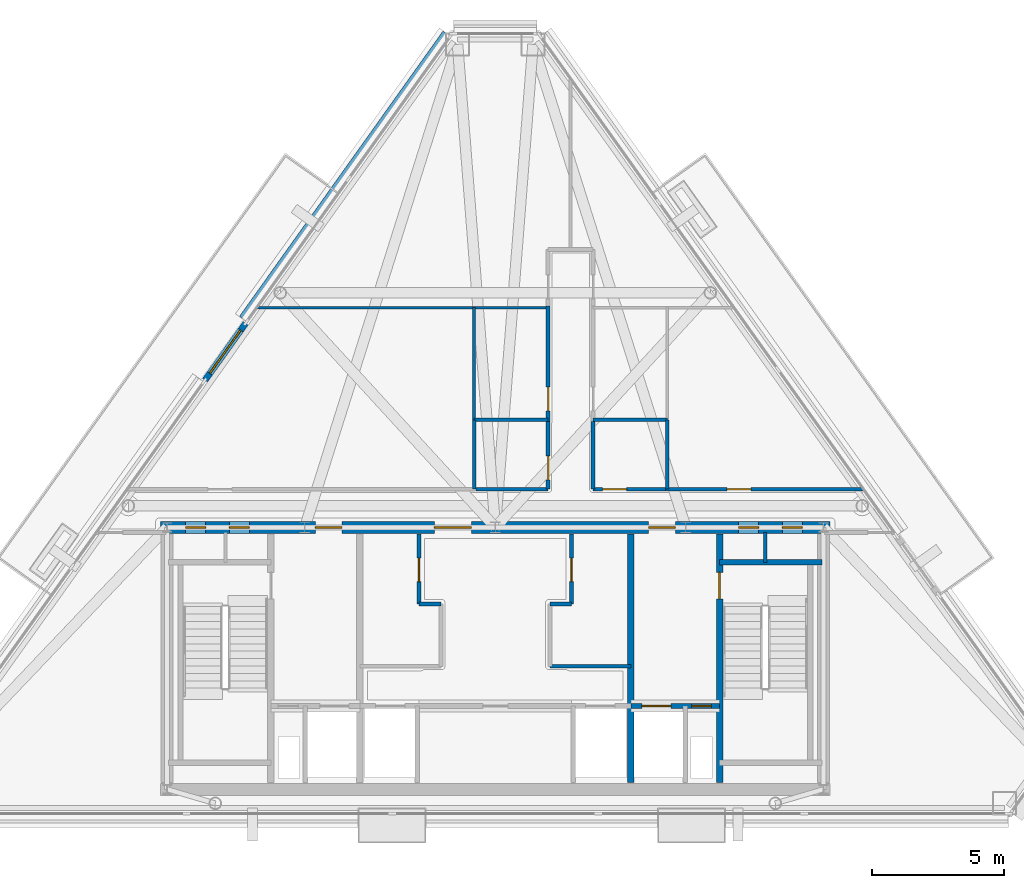
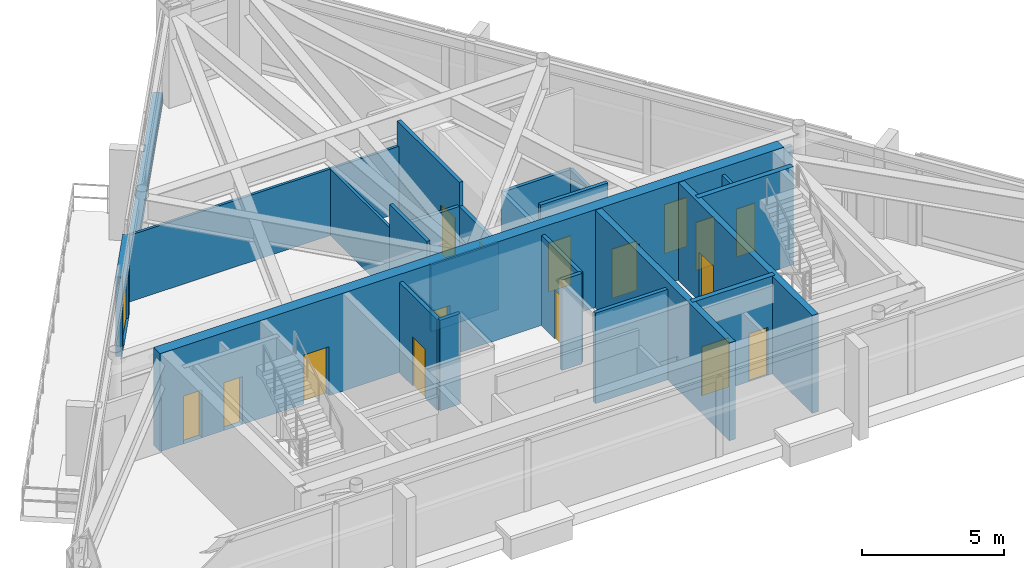
# One storey, part 4 of 7: 25 walls, 17 doors, 17 openings.
"""IFC4 building model written with IfcOpenShell, lengths in metres."""

from ifc_helpers import new_model, si_unit, direction, frame, frame_2d, origin, place, context, subcontext, project, spatial, rectangle, extrude, material, layer, layer_set, type_object, element, fill, save


model = new_model("IFC4")

# Units and contexts
model_context = context("Model", 3, precision=1e-05, world=origin(), true_north=direction((0.0, 1.0)))
body_context = subcontext(model_context, "Body", "Model", "MODEL_VIEW")
ifc_project = project(units=[si_unit("LENGTHUNIT", "METRE"), si_unit("AREAUNIT", "SQUARE_METRE"), si_unit("VOLUMEUNIT", "CUBIC_METRE"), si_unit("PLANEANGLEUNIT", "RADIAN"), si_unit("MASSUNIT", "GRAM", prefix="KILO")], contexts=[model_context])

# Site, building, storey
site_placement = place(None, origin())
site = spatial("IfcSite", under=ifc_project, at=site_placement, CompositionType="ELEMENT")
building_placement = place(site_placement, origin())
building = spatial("IfcBuilding", under=site, at=building_placement, Name="Talgorran Terracotta Tower", CompositionType="ELEMENT")
storey_placement = place(building_placement, frame((0.0, 0.0, 293.39990234375)))
storey = spatial("IfcBuildingStorey", under=building, at=storey_placement, Name="L77", CompositionType="ELEMENT", Elevation=293.39990234375)

# Wall, opening, door
ifc_material_1 = material(Name="Concrete C40/50", Category="concrete")
ifc_layer_1 = layer(ifc_material_1, 0.239990234375, Name="WT_BALCONY_SPAND")
ifc_layer_set_1 = layer_set([ifc_layer_1], Name="Concrete C40/50")
wall_type_1 = type_object("IfcWallType", Name="WT_BALCONY_SPAND", PredefinedType="STANDARD", material=ifc_layer_set_1)
wall_1_placement = place(storey_placement, frame((-9.439208984375, 3.511962890625, -0.014892578125), z_axis=(0.0, 0.0, 1.0), x_axis=(-0.580756960622, -0.814076994325, 0.0)))
wall_1 = element("IfcWall", 1, at=wall_1_placement, inside=storey, type_object=wall_type_1, Name="WL-L77-BALP-TERR-NW", PredefinedType="STANDARD", context=body_context, shape_type="SweptSolid", body=[
    extrude(rectangle(XDim=2.639892578125, YDim=0.239990234375, at=frame_2d((1.31982421875, 0.0))), origin(), (0.0, 0.0, 1.0), 3.4130859375),
])
opening_1_placement = place(wall_1_placement, frame((0.320068359375, 0.0, 0.014892578125)))
opening_1 = element("IfcOpeningElement", 2, at=opening_1_placement, cuts=wall_1, Name="Opening D-BAL-L77-2", PredefinedType="OPENING", context=body_context, shape_type="SweptSolid", body=[
    extrude(rectangle(XDim=2.006, YDim=2.203951171875, at=frame_2d((1.0, 1.10205078125))), frame((0.0, 0.1298828125, 0.0), z_axis=(0.0, -1.0, 0.0), x_axis=(1.0, 0.0, 0.0)), (0.0, 0.0, 1.0), 0.260009765625),
])
ifc_material_2 = material(Name="Structural Glazed Aluminium", Category="aluminium")
door_type_1 = type_object("IfcDoorType", Name="DT_TERR_2000", OperationType="DOUBLE_DOOR_SLIDING", PredefinedType="DOOR", material=ifc_material_2)
door_1_placement = place(opening_1_placement, origin())
door_1 = element("IfcDoor", 3, at=door_1_placement, inside=storey, type_object=door_type_1, Name="DR-L77-BAL-TERR-NW", OperationType="DOUBLE_DOOR_SLIDING", OverallHeight=2.199951171875, OverallWidth=2.0, PredefinedType="DOOR", context=body_context, shape_type="SweptSolid", body=[
    extrude(rectangle(XDim=2.0, YDim=2.199951171875, at=frame_2d((1.0, 1.10009765625))), frame((0.0, 0.02490234375, 0.0), z_axis=(0.0, -1.0, 0.0), x_axis=(1.0, 0.0, 0.0)), (0.0, 0.0, 1.0), 0.050048828125),
])
fill(opening_1, door_1)

# Wall
ifc_material_3 = material(Name="Concrete C50/60", Category="concrete")
ifc_layer_2 = layer(ifc_material_3, 0.199951171875, Name="WT_CORE_200")
ifc_layer_set_2 = layer_set([ifc_layer_2], Name="Concrete C50/60")
wall_type_2 = type_object("IfcWallType", Name="WT_CORE_200", PredefinedType="SOLIDWALL", material=ifc_layer_set_2)
wall_2_placement = place(storey_placement, frame((8.47998046875, -5.52001953125, 0.0), z_axis=(0.0, 0.0, 1.0), x_axis=(1.0, 0.0, 0.0)))
element("IfcWall", 4, at=wall_2_placement, inside=storey, type_object=wall_type_2, Name="WL-L77-CW-ST2-N", PredefinedType="SOLIDWALL", context=body_context, shape_type="SweptSolid", body=[
    extrude(rectangle(XDim=3.8701171875, YDim=0.199951171875, at=frame_2d((1.93505859375, 0.0))), origin(), (0.0, 0.0, 1.0), 4.2001953125),
])

# Wall, openings, doors
wall_3_placement = place(storey_placement, frame((5.1201171875, -10.949951171875, 0.0), z_axis=(0.0, 0.0, 1.0), x_axis=(1.0, 0.0, 0.0)))
wall_3 = element("IfcWall", 5, at=wall_3_placement, inside=storey, type_object=wall_type_2, Name="WL-L77-CW-H-SBE", PredefinedType="SOLIDWALL", context=body_context, shape_type="SweptSolid", body=[
    extrude(rectangle(XDim=3.35986328125, YDim=0.199951171875, at=frame_2d((1.679931640625, 0.0))), origin(), (0.0, 0.0, 1.0), 4.2001953125),
])
opening_2_placement = place(wall_3_placement, frame((0.419921875, 0.0, 0.0)))
opening_2 = element("IfcOpeningElement", 6, at=opening_2_placement, cuts=wall_3, Name="Opening LD-FFL2", PredefinedType="OPENING", context=body_context, shape_type="SweptSolid", body=[
    extrude(rectangle(XDim=1.10609765625, YDim=2.10409765625, at=frame_2d((0.550048828125, 1.052001953125))), frame((0.0, 0.10986328125, 0.0), z_axis=(0.0, -1.0, 0.0), x_axis=(1.0, 0.0, 0.0)), (0.0, 0.0, 1.0), 0.219970703125),
])
opening_3_placement = place(wall_3_placement, frame((2.300048828125, 0.0, 0.0)))
opening_3 = element("IfcOpeningElement", 7, at=opening_3_placement, cuts=wall_3, Name="Opening DR-RSE", PredefinedType="OPENING", context=body_context, shape_type="SweptSolid", body=[
    extrude(rectangle(XDim=0.756, YDim=2.054048828125, at=frame_2d((0.375, 1.027099609375))), frame((0.0, 0.10986328125, 0.0), z_axis=(0.0, -1.0, 0.0), x_axis=(1.0, 0.0, 0.0)), (0.0, 0.0, 1.0), 0.219970703125),
])
ifc_material_4 = material(Name="Brushed Stainless Steel Grade 304", Category="steel")
door_type_2 = type_object("IfcDoorType", Name="DT_LIFT_LD1100", OperationType="DOUBLE_DOOR_SLIDING", PredefinedType="DOOR", material=ifc_material_4)
door_2_placement = place(opening_2_placement, origin())
door_2 = element("IfcDoor", 8, at=door_2_placement, inside=storey, type_object=door_type_2, Name="L77 Lift Landing Door LD-FFL2", OperationType="DOUBLE_DOOR_SLIDING", OverallHeight=2.10009765625, OverallWidth=1.10009765625, PredefinedType="DOOR", context=body_context, shape_type="SweptSolid", body=[
    extrude(rectangle(XDim=1.10009765625, YDim=2.10009765625, at=frame_2d((0.550048828125, 1.050048828125))), frame((0.0, 0.02490234375, 0.0), z_axis=(0.0, -1.0, 0.0), x_axis=(1.0, 0.0, 0.0)), (0.0, 0.0, 1.0), 0.050048828125),
])
fill(opening_2, door_2)
ifc_material_5 = material(Name="Fire-Rated Pressed Steel", Category="steel")
door_type_3 = type_object("IfcDoorType", Name="DT_RISER_750", OperationType="NOTDEFINED", PredefinedType="DOOR", material=ifc_material_5)
door_3_placement = place(opening_3_placement, origin())
door_3 = element("IfcDoor", 9, at=door_3_placement, inside=storey, type_object=door_type_3, Name="DR-RSE", OperationType="SINGLE_SWING_RIGHT", OverallHeight=2.050048828125, OverallWidth=0.75, PredefinedType="DOOR", context=body_context, shape_type="SweptSolid", body=[
    extrude(rectangle(XDim=0.75, YDim=2.050048828125, at=frame_2d((0.375, 1.02490234375))), frame((0.0, 0.02490234375, 0.0), z_axis=(0.0, -1.0, 0.0), x_axis=(1.0, 0.0, 0.0)), (0.0, 0.0, 1.0), 0.050048828125),
])
fill(opening_3, door_3)

# Wall, opening, door
ifc_layer_3 = layer(ifc_material_3, 0.25, Name="WT_CORE_250")
ifc_layer_set_3 = layer_set([ifc_layer_3], Name="Concrete C50/60")
wall_type_3 = type_object("IfcWallType", Name="WT_CORE_250", PredefinedType="SHEAR", material=ifc_layer_set_3)
wall_4_placement = place(storey_placement, frame((8.47998046875, -13.85009765625, 0.0), z_axis=(0.0, 0.0, 1.0), x_axis=(0.0, 1.0, 0.0)))
wall_4 = element("IfcWall", 10, at=wall_4_placement, inside=storey, type_object=wall_type_3, Name="WL-L77-CW-V-E1", PredefinedType="SHEAR", context=body_context, shape_type="SweptSolid", body=[
    extrude(rectangle(XDim=9.400146484375, YDim=0.25, at=frame_2d((4.7001953125, 0.0))), origin(), (0.0, 0.0, 1.0), 4.2001953125),
])
opening_4_placement = place(wall_4_placement, frame((6.949951171875, 0.0, 0.0)))
opening_4 = element("IfcOpeningElement", 11, at=opening_4_placement, cuts=wall_4, Name="Opening DR-ST02", PredefinedType="OPENING", context=body_context, shape_type="SweptSolid", body=[
    extrude(rectangle(XDim=1.006, YDim=2.10409765625, at=frame_2d((0.5, 1.052001953125))), frame((0.0, 0.135009765625, 0.0), z_axis=(0.0, -1.0, 0.0), x_axis=(1.0, 0.0, 0.0)), (0.0, 0.0, 1.0), 0.27001953125),
])
door_type_4 = type_object("IfcDoorType", Name="DT_FIRE_1000", OperationType="NOTDEFINED", PredefinedType="DOOR", material=ifc_material_5)
door_4_placement = place(opening_4_placement, origin())
door_4 = element("IfcDoor", 12, at=door_4_placement, inside=storey, type_object=door_type_4, Name="DR-ST02", OperationType="SINGLE_SWING_RIGHT", OverallHeight=2.10009765625, OverallWidth=1.0, PredefinedType="DOOR", context=body_context, shape_type="SweptSolid", body=[
    extrude(rectangle(XDim=1.0, YDim=2.10009765625, at=frame_2d((0.5, 1.050048828125))), frame((0.0, 0.02490234375, 0.0), z_axis=(0.0, -1.0, 0.0), x_axis=(1.0, 0.0, 0.0)), (0.0, 0.0, 1.0), 0.050048828125),
])
fill(opening_4, door_4)

# Wall
wall_5_placement = place(storey_placement, frame((5.1201171875, -13.85009765625, 0.0), z_axis=(0.0, 0.0, 1.0), x_axis=(0.0, 1.0, 0.0)))
element("IfcWall", 13, at=wall_5_placement, inside=storey, type_object=wall_type_3, Name="WL-L77-CW-V-E2", PredefinedType="SHEAR", context=body_context, shape_type="SweptSolid", body=[
    extrude(rectangle(XDim=9.400146484375, YDim=0.25, at=frame_2d((4.7001953125, 0.0))), origin(), (0.0, 0.0, 1.0), 4.2001953125),
])

# Wall, openings, doors
ifc_material_6 = material(Name="Concrete C65/80", Category="concrete")
ifc_layer_4 = layer(ifc_material_6, 0.449951171875, Name="WT_CORE_EXT")
ifc_layer_set_4 = layer_set([ifc_layer_4], Name="Concrete C65/80")
wall_type_4 = type_object("IfcWallType", Name="WT_CORE_EXT", PredefinedType="SHEAR", material=ifc_layer_set_4)
wall_6_placement = place(storey_placement, frame((-12.64990234375, -4.199951171875, 0.0), z_axis=(0.0, 0.0, 1.0), x_axis=(1.0, 0.0, 0.0)))
wall_6 = element("IfcWall", 14, at=wall_6_placement, inside=storey, type_object=wall_type_4, Name="WL-L77-CW-OUT-N", PredefinedType="SHEAR", context=body_context, shape_type="SweptSolid", body=[
    extrude(rectangle(XDim=25.2998046875, YDim=0.449951171875, at=frame_2d((12.64990234375, 0.0))), origin(), (0.0, 0.0, 1.0), 4.2001953125),
])
opening_5_placement = place(wall_6_placement, frame((0.949951171875, 0.0, 0.0)))
opening_5 = element("IfcOpeningElement", 15, at=opening_5_placement, cuts=wall_6, Name="Opening DR-CSN1", PredefinedType="OPENING", context=body_context, shape_type="SweptSolid", body=[
    extrude(rectangle(XDim=0.756, YDim=2.054048828125, at=frame_2d((0.375, 1.027099609375))), frame((0.0, 0.23486328125, 0.0), z_axis=(0.0, -1.0, 0.0), x_axis=(1.0, 0.0, 0.0)), (0.0, 0.0, 1.0), 0.469970703125),
])
opening_6_placement = place(wall_6_placement, frame((2.60009765625, 0.0, 0.0)))
opening_6 = element("IfcOpeningElement", 16, at=opening_6_placement, cuts=wall_6, Name="Opening DR-CSN2", PredefinedType="OPENING", context=body_context, shape_type="SweptSolid", body=[
    extrude(rectangle(XDim=0.756, YDim=2.054048828125, at=frame_2d((0.375, 1.027099609375))), frame((0.0, 0.23486328125, 0.0), z_axis=(0.0, -1.0, 0.0), x_axis=(1.0, 0.0, 0.0)), (0.0, 0.0, 1.0), 0.469970703125),
])
opening_7_placement = place(wall_6_placement, frame((21.85009765625, 0.0, 0.0)))
opening_7 = element("IfcOpeningElement", 17, at=opening_7_placement, cuts=wall_6, Name="Opening DR-CSN3", PredefinedType="OPENING", context=body_context, shape_type="SweptSolid", body=[
    extrude(rectangle(XDim=0.756, YDim=2.054048828125, at=frame_2d((0.375, 1.027099609375))), frame((0.0, 0.23486328125, 0.0), z_axis=(0.0, -1.0, 0.0), x_axis=(1.0, 0.0, 0.0)), (0.0, 0.0, 1.0), 0.469970703125),
])
opening_8_placement = place(wall_6_placement, frame((23.5, 0.0, 0.0)))
opening_8 = element("IfcOpeningElement", 18, at=opening_8_placement, cuts=wall_6, Name="Opening DR-CSN4", PredefinedType="OPENING", context=body_context, shape_type="SweptSolid", body=[
    extrude(rectangle(XDim=0.756, YDim=2.054048828125, at=frame_2d((0.375, 1.027099609375))), frame((0.0, 0.23486328125, 0.0), z_axis=(0.0, -1.0, 0.0), x_axis=(1.0, 0.0, 0.0)), (0.0, 0.0, 1.0), 0.469970703125),
])
opening_9_placement = place(wall_6_placement, frame((5.85009765625, 0.0, 0.0)))
opening_9 = element("IfcOpeningElement", 19, at=opening_9_placement, cuts=wall_6, Name="Opening DR-FFLW-N", PredefinedType="OPENING", context=body_context, shape_type="SweptSolid", body=[
    extrude(rectangle(XDim=1.006, YDim=2.10409765625, at=frame_2d((0.5, 1.052001953125))), frame((0.0, 0.23486328125, 0.0), z_axis=(0.0, -1.0, 0.0), x_axis=(1.0, 0.0, 0.0)), (0.0, 0.0, 1.0), 0.469970703125),
])
opening_10_placement = place(wall_6_placement, frame((10.35009765625, 0.0, 0.0)))
opening_10 = element("IfcOpeningElement", 20, at=opening_10_placement, cuts=wall_6, Name="Opening DR-PLL-N", PredefinedType="OPENING", context=body_context, shape_type="SweptSolid", body=[
    extrude(rectangle(XDim=1.40590234375, YDim=2.15390234375, at=frame_2d((0.699951171875, 1.076904296875))), frame((0.0, 0.23486328125, 0.0), z_axis=(0.0, -1.0, 0.0), x_axis=(1.0, 0.0, 0.0)), (0.0, 0.0, 1.0), 0.469970703125),
])
opening_11_placement = place(wall_6_placement, frame((18.449951171875, 0.0, 0.0)))
opening_11 = element("IfcOpeningElement", 21, at=opening_11_placement, cuts=wall_6, Name="Opening DR-FFLE-N", PredefinedType="OPENING", context=body_context, shape_type="SweptSolid", body=[
    extrude(rectangle(XDim=1.006, YDim=2.10409765625, at=frame_2d((0.5, 1.052001953125))), frame((0.0, 0.23486328125, 0.0), z_axis=(0.0, -1.0, 0.0), x_axis=(1.0, 0.0, 0.0)), (0.0, 0.0, 1.0), 0.469970703125),
])
ifc_material_7 = material(Name="Acoustic Glazed Timber", Category="wood")
door_type_5 = type_object("IfcDoorType", Name="DT_DOUBLE_1400", OperationType="DOUBLE_DOOR_SINGLE_SWING", PredefinedType="DOOR", material=ifc_material_7)
door_5_placement = place(opening_10_placement, origin())
door_5 = element("IfcDoor", 22, at=door_5_placement, inside=storey, type_object=door_type_5, Name="DR-PLL-N", OperationType="DOUBLE_DOOR_SINGLE_SWING", OverallHeight=2.14990234375, OverallWidth=1.39990234375, PredefinedType="DOOR", context=body_context, shape_type="SweptSolid", body=[
    extrude(rectangle(XDim=1.39990234375, YDim=2.14990234375, at=frame_2d((0.699951171875, 1.074951171875))), frame((0.0, 0.02490234375, 0.0), z_axis=(0.0, -1.0, 0.0), x_axis=(1.0, 0.0, 0.0)), (0.0, 0.0, 1.0), 0.050048828125),
])
fill(opening_10, door_5)
door_6_placement = place(opening_9_placement, origin())
door_6 = element("IfcDoor", 23, at=door_6_placement, inside=storey, type_object=door_type_4, Name="DR-FFLW-N", OperationType="SINGLE_SWING_LEFT", OverallHeight=2.10009765625, OverallWidth=1.0, PredefinedType="DOOR", context=body_context, shape_type="SweptSolid", body=[
    extrude(rectangle(XDim=1.0, YDim=2.10009765625, at=frame_2d((0.5, 1.050048828125))), frame((0.0, 0.02490234375, 0.0), z_axis=(0.0, -1.0, 0.0), x_axis=(1.0, 0.0, 0.0)), (0.0, 0.0, 1.0), 0.050048828125),
])
fill(opening_9, door_6)
door_7_placement = place(opening_11_placement, origin())
door_7 = element("IfcDoor", 24, at=door_7_placement, inside=storey, type_object=door_type_4, Name="DR-FFLE-N", OperationType="SINGLE_SWING_RIGHT", OverallHeight=2.10009765625, OverallWidth=1.0, PredefinedType="DOOR", context=body_context, shape_type="SweptSolid", body=[
    extrude(rectangle(XDim=1.0, YDim=2.10009765625, at=frame_2d((0.5, 1.050048828125))), frame((0.0, 0.02490234375, 0.0), z_axis=(0.0, -1.0, 0.0), x_axis=(1.0, 0.0, 0.0)), (0.0, 0.0, 1.0), 0.050048828125),
])
fill(opening_11, door_7)
door_8_placement = place(opening_5_placement, origin())
door_8 = element("IfcDoor", 25, at=door_8_placement, inside=storey, type_object=door_type_3, Name="DR-CSN1", OperationType="SINGLE_SWING_LEFT", OverallHeight=2.050048828125, OverallWidth=0.75, PredefinedType="DOOR", context=body_context, shape_type="SweptSolid", body=[
    extrude(rectangle(XDim=0.75, YDim=2.050048828125, at=frame_2d((0.375, 1.02490234375))), frame((0.0, 0.02490234375, 0.0), z_axis=(0.0, -1.0, 0.0), x_axis=(1.0, 0.0, 0.0)), (0.0, 0.0, 1.0), 0.050048828125),
])
fill(opening_5, door_8)
door_9_placement = place(opening_6_placement, origin())
door_9 = element("IfcDoor", 26, at=door_9_placement, inside=storey, type_object=door_type_3, Name="DR-CSN2", OperationType="SINGLE_SWING_RIGHT", OverallHeight=2.050048828125, OverallWidth=0.75, PredefinedType="DOOR", context=body_context, shape_type="SweptSolid", body=[
    extrude(rectangle(XDim=0.75, YDim=2.050048828125, at=frame_2d((0.375, 1.02490234375))), frame((0.0, 0.02490234375, 0.0), z_axis=(0.0, -1.0, 0.0), x_axis=(1.0, 0.0, 0.0)), (0.0, 0.0, 1.0), 0.050048828125),
])
fill(opening_6, door_9)
door_10_placement = place(opening_7_placement, origin())
door_10 = element("IfcDoor", 27, at=door_10_placement, inside=storey, type_object=door_type_3, Name="DR-CSN3", OperationType="SINGLE_SWING_LEFT", OverallHeight=2.050048828125, OverallWidth=0.75, PredefinedType="DOOR", context=body_context, shape_type="SweptSolid", body=[
    extrude(rectangle(XDim=0.75, YDim=2.050048828125, at=frame_2d((0.375, 1.02490234375))), frame((0.0, 0.02490234375, 0.0), z_axis=(0.0, -1.0, 0.0), x_axis=(1.0, 0.0, 0.0)), (0.0, 0.0, 1.0), 0.050048828125),
])
fill(opening_7, door_10)
door_11_placement = place(opening_8_placement, origin())
door_11 = element("IfcDoor", 28, at=door_11_placement, inside=storey, type_object=door_type_3, Name="DR-CSN4", OperationType="SINGLE_SWING_RIGHT", OverallHeight=2.050048828125, OverallWidth=0.75, PredefinedType="DOOR", context=body_context, shape_type="SweptSolid", body=[
    extrude(rectangle(XDim=0.75, YDim=2.050048828125, at=frame_2d((0.375, 1.02490234375))), frame((0.0, 0.02490234375, 0.0), z_axis=(0.0, -1.0, 0.0), x_axis=(1.0, 0.0, 0.0)), (0.0, 0.0, 1.0), 0.050048828125),
])
fill(opening_8, door_11)

# Wall
ifc_material_8 = material(Name="Fire-Rated Steel Stud Plasterboard", Category="steel")
ifc_layer_5 = layer(ifc_material_8, 0.14990234375, Name="WT_FIRE_150")
ifc_layer_set_5 = layer_set([ifc_layer_5], Name="Fire-Rated Steel Stud Plasterboard")
wall_type_5 = type_object("IfcWallType", Name="WT_FIRE_150", PredefinedType="PARTITIONING", material=ifc_layer_set_5)
wall_7_placement = place(storey_placement, frame((-2.8798828125, -7.10009765625, 0.0), z_axis=(0.0, 0.0, 1.0), x_axis=(1.0, 0.0, 0.0)))
element("IfcWall", 29, at=wall_7_placement, inside=storey, type_object=wall_type_5, Name="WL-L77-CW-H-W3M2", PredefinedType="PARTITIONING", context=body_context, shape_type="SweptSolid", body=[
    extrude(rectangle(XDim=0.81982421875, YDim=0.14990234375, at=frame_2d((0.409912109375, 0.0))), origin(), (0.0, 0.0, 1.0), 3.880126953125),
])

# Wall, opening, door
wall_8_placement = place(storey_placement, frame((-2.8798828125, -7.10009765625, 0.0), z_axis=(0.0, 0.0, 1.0), x_axis=(0.0, 1.0, 0.0)))
wall_8 = element("IfcWall", 30, at=wall_8_placement, inside=storey, type_object=wall_type_5, Name="WL-L77-CW-V-W3N", PredefinedType="PARTITIONING", context=body_context, shape_type="SweptSolid", body=[
    extrude(rectangle(XDim=2.650146484375, YDim=0.14990234375, at=frame_2d((1.3251953125, 0.0))), origin(), (0.0, 0.0, 1.0), 3.880126953125),
])
opening_12_placement = place(wall_8_placement, frame((0.85009765625, 0.0, 0.0)))
opening_12 = element("IfcOpeningElement", 31, at=opening_12_placement, cuts=wall_8, Name="Opening DR-FRPLL-B", PredefinedType="OPENING", context=body_context, shape_type="SweptSolid", body=[
    extrude(rectangle(XDim=0.8858828125, YDim=2.10409765625, at=frame_2d((0.43994140625, 1.052001953125))), frame((0.0, 0.0849609375, 0.0), z_axis=(0.0, -1.0, 0.0), x_axis=(1.0, 0.0, 0.0)), (0.0, 0.0, 1.0), 0.169921875),
])
ifc_material_9 = material(Name="Solid-Core Painted Timber", Category="wood")
door_type_6 = type_object("IfcDoorType", Name="DT_INT_880", OperationType="NOTDEFINED", PredefinedType="DOOR", material=ifc_material_9)
door_12_placement = place(opening_12_placement, origin())
door_12 = element("IfcDoor", 32, at=door_12_placement, inside=storey, type_object=door_type_6, Name="DR-FRPLL-B", OperationType="SINGLE_SWING_LEFT", OverallHeight=2.10009765625, OverallWidth=0.8798828125, PredefinedType="DOOR", context=body_context, shape_type="SweptSolid", body=[
    extrude(rectangle(XDim=0.8798828125, YDim=2.10009765625, at=frame_2d((0.43994140625, 1.050048828125))), frame((0.0, 0.02490234375, 0.0), z_axis=(0.0, -1.0, 0.0), x_axis=(1.0, 0.0, 0.0)), (0.0, 0.0, 1.0), 0.050048828125),
])
fill(opening_12, door_12)

# Walls
wall_9_placement = place(storey_placement, frame((2.06005859375, -9.449951171875, 0.0), z_axis=(0.0, 0.0, 1.0), x_axis=(1.0, 0.0, 0.0)))
element("IfcWall", 33, at=wall_9_placement, inside=storey, type_object=wall_type_5, Name="WL-L77-CW-H-E4N", PredefinedType="PARTITIONING", context=body_context, shape_type="SweptSolid", body=[
    extrude(rectangle(XDim=3.06005859375, YDim=0.14990234375, at=frame_2d((1.530029296875, 0.0))), origin(), (0.0, 0.0, 1.0), 3.880126953125),
])
wall_10_placement = place(storey_placement, frame((2.06005859375, -7.10009765625, 0.0), z_axis=(0.0, 0.0, 1.0), x_axis=(1.0, 0.0, 0.0)))
element("IfcWall", 34, at=wall_10_placement, inside=storey, type_object=wall_type_5, Name="WL-L77-CW-H-E3M2", PredefinedType="PARTITIONING", context=body_context, shape_type="SweptSolid", body=[
    extrude(rectangle(XDim=0.81982421875, YDim=0.14990234375, at=frame_2d((0.409912109375, 0.0))), origin(), (0.0, 0.0, 1.0), 3.880126953125),
])

# Wall, opening, door
wall_11_placement = place(storey_placement, frame((2.8798828125, -7.10009765625, 0.0), z_axis=(0.0, 0.0, 1.0), x_axis=(0.0, 1.0, 0.0)))
wall_11 = element("IfcWall", 35, at=wall_11_placement, inside=storey, type_object=wall_type_5, Name="WL-L77-CW-V-E3N", PredefinedType="PARTITIONING", context=body_context, shape_type="SweptSolid", body=[
    extrude(rectangle(XDim=2.650146484375, YDim=0.14990234375, at=frame_2d((1.3251953125, 0.0))), origin(), (0.0, 0.0, 1.0), 3.880126953125),
])
opening_13_placement = place(wall_11_placement, frame((0.85009765625, 0.0, 0.0)))
opening_13 = element("IfcOpeningElement", 36, at=opening_13_placement, cuts=wall_11, Name="Opening DR-FRPLM-B", PredefinedType="OPENING", context=body_context, shape_type="SweptSolid", body=[
    extrude(rectangle(XDim=0.8858828125, YDim=2.10409765625, at=frame_2d((0.43994140625, 1.052001953125))), frame((0.0, 0.0849609375, 0.0), z_axis=(0.0, -1.0, 0.0), x_axis=(1.0, 0.0, 0.0)), (0.0, 0.0, 1.0), 0.169921875),
])
door_13_placement = place(opening_13_placement, origin())
door_13 = element("IfcDoor", 37, at=door_13_placement, inside=storey, type_object=door_type_6, Name="DR-FRPLM-B", OperationType="SINGLE_SWING_RIGHT", OverallHeight=2.10009765625, OverallWidth=0.8798828125, PredefinedType="DOOR", context=body_context, shape_type="SweptSolid", body=[
    extrude(rectangle(XDim=0.8798828125, YDim=2.10009765625, at=frame_2d((0.43994140625, 1.050048828125))), frame((0.0, 0.02490234375, 0.0), z_axis=(0.0, -1.0, 0.0), x_axis=(1.0, 0.0, 0.0)), (0.0, 0.0, 1.0), 0.050048828125),
])
fill(opening_13, door_13)

wall_12_placement = place(storey_placement, frame((6.43994140625, -2.760009765625, 0.0), z_axis=(0.0, 0.0, 1.0), x_axis=(1.0, 0.0, 0.0)))
wall_12 = element("IfcWall", 38, at=wall_12_placement, inside=storey, type_object=wall_type_5, Name="WL-L77-W-L77-R09", PredefinedType="PARTITIONING", context=body_context, shape_type="SweptSolid", body=[
    extrude(rectangle(XDim=7.4736328125, YDim=0.14990234375, at=frame_2d((3.73681640625, 0.0))), origin(), (0.0, 0.0, 1.0), 2.85498046875),
])
opening_14_placement = place(wall_12_placement, frame((2.31787109375, 0.0, 0.0)))
opening_14 = element("IfcOpeningElement", 39, at=opening_14_placement, cuts=wall_12, Name="Opening DR-L77-R07", PredefinedType="OPENING", context=body_context, shape_type="SweptSolid", body=[
    extrude(rectangle(XDim=0.90590234375, YDim=2.10409765625, at=frame_2d((0.449951171875, 1.052001953125))), frame((0.0, 0.0849609375, 0.0), z_axis=(0.0, -1.0, 0.0), x_axis=(1.0, 0.0, 0.0)), (0.0, 0.0, 1.0), 0.169921875),
])
ifc_material_10 = material(Name="Fire-Rated Timber Core", Category="wood")
door_type_7 = type_object("IfcDoorType", Name="DT_FIRE_900", OperationType="NOTDEFINED", PredefinedType="DOOR", material=ifc_material_10)
door_14_placement = place(opening_14_placement, origin())
door_14 = element("IfcDoor", 40, at=door_14_placement, inside=storey, type_object=door_type_7, Name="DR-L77-R07", OperationType="SINGLE_SWING_LEFT", OverallHeight=2.10009765625, OverallWidth=0.89990234375, PredefinedType="DOOR", context=body_context, shape_type="SweptSolid", body=[
    extrude(rectangle(XDim=0.89990234375, YDim=2.10009765625, at=frame_2d((0.449951171875, 1.050048828125))), frame((0.0, 0.02490234375, 0.0), z_axis=(0.0, -1.0, 0.0), x_axis=(1.0, 0.0, 0.0)), (0.0, 0.0, 1.0), 0.050048828125),
])
fill(opening_14, door_14)

wall_13_placement = place(storey_placement, frame((2.0, -0.199951171875, 0.0), z_axis=(0.0, 0.0, 1.0), x_axis=(0.0, 1.0, 0.0)))
wall_13 = element("IfcWall", 41, at=wall_13_placement, inside=storey, type_object=wall_type_5, Name="WL-L77-W-L77-R08", PredefinedType="PARTITIONING", context=body_context, shape_type="SweptSolid", body=[
    extrude(rectangle(XDim=4.35986328125, YDim=0.14990234375, at=frame_2d((2.179931640625, 0.0))), origin(), (0.0, 0.0, 1.0), 3.880126953125),
])
opening_15_placement = place(wall_13_placement, frame((0.398193359375, 0.0, 0.0)))
opening_15 = element("IfcOpeningElement", 42, at=opening_15_placement, cuts=wall_13, Name="Opening DR-L77-R06", PredefinedType="OPENING", context=body_context, shape_type="SweptSolid", body=[
    extrude(rectangle(XDim=0.90590234375, YDim=2.10409765625, at=frame_2d((0.449951171875, 1.052001953125))), frame((0.0, 0.0849609375, 0.0), z_axis=(0.0, -1.0, 0.0), x_axis=(1.0, 0.0, 0.0)), (0.0, 0.0, 1.0), 0.169921875),
])
door_15_placement = place(opening_15_placement, origin())
door_15 = element("IfcDoor", 43, at=door_15_placement, inside=storey, type_object=door_type_7, Name="DR-L77-R06", OperationType="SINGLE_SWING_RIGHT", OverallHeight=2.10009765625, OverallWidth=0.89990234375, PredefinedType="DOOR", context=body_context, shape_type="SweptSolid", body=[
    extrude(rectangle(XDim=0.89990234375, YDim=2.10009765625, at=frame_2d((0.449951171875, 1.050048828125))), frame((0.0, 0.02490234375, 0.0), z_axis=(0.0, -1.0, 0.0), x_axis=(1.0, 0.0, 0.0)), (0.0, 0.0, 1.0), 0.050048828125),
])
fill(opening_15, door_15)

# Wall
wall_14_placement = place(storey_placement, frame((-0.738037109375, -2.760009765625, 0.0), z_axis=(0.0, 0.0, 1.0), x_axis=(1.0, 0.0, 0.0)))
element("IfcWall", 44, at=wall_14_placement, inside=storey, type_object=wall_type_5, Name="WL-L77-W-L77-R05", PredefinedType="PARTITIONING", context=body_context, shape_type="SweptSolid", body=[
    extrude(rectangle(XDim=2.738037109375, YDim=0.14990234375, at=frame_2d((1.369140625, 0.0))), origin(), (0.0, 0.0, 1.0), 2.85498046875),
])

# Wall, opening, door
wall_15_placement = place(storey_placement, frame((3.699951171875, -2.760009765625, 0.0), z_axis=(0.0, 0.0, 1.0), x_axis=(1.0, 0.0, 0.0)))
wall_15 = element("IfcWall", 45, at=wall_15_placement, inside=storey, type_object=wall_type_5, Name="WL-L77-W-L77-R04", PredefinedType="PARTITIONING", context=body_context, shape_type="SweptSolid", body=[
    extrude(rectangle(XDim=2.738037109375, YDim=0.14990234375, at=frame_2d((1.369140625, 0.0))), origin(), (0.0, 0.0, 1.0), 3.880126953125),
])
opening_16_placement = place(wall_15_placement, frame((0.360107421875, 0.0, 0.0)))
opening_16 = element("IfcOpeningElement", 46, at=opening_16_placement, cuts=wall_15, Name="Opening DR-L77-R03", PredefinedType="OPENING", context=body_context, shape_type="SweptSolid", body=[
    extrude(rectangle(XDim=0.90590234375, YDim=2.10409765625, at=frame_2d((0.449951171875, 1.052001953125))), frame((0.0, 0.0849609375, 0.0), z_axis=(0.0, -1.0, 0.0), x_axis=(1.0, 0.0, 0.0)), (0.0, 0.0, 1.0), 0.169921875),
])
door_16_placement = place(opening_16_placement, origin())
door_16 = element("IfcDoor", 47, at=door_16_placement, inside=storey, type_object=door_type_7, Name="DR-L77-R03", OperationType="SINGLE_SWING_LEFT", OverallHeight=2.10009765625, OverallWidth=0.89990234375, PredefinedType="DOOR", context=body_context, shape_type="SweptSolid", body=[
    extrude(rectangle(XDim=0.89990234375, YDim=2.10009765625, at=frame_2d((0.449951171875, 1.050048828125))), frame((0.0, 0.02490234375, 0.0), z_axis=(0.0, -1.0, 0.0), x_axis=(1.0, 0.0, 0.0)), (0.0, 0.0, 1.0), 0.050048828125),
])
fill(opening_16, door_16)

# Wall
wall_16_placement = place(storey_placement, frame((3.699951171875, -2.760009765625, 0.0), z_axis=(0.0, 0.0, 1.0), x_axis=(0.0, 1.0, 0.0)))
element("IfcWall", 48, at=wall_16_placement, inside=storey, type_object=wall_type_5, Name="WL-L77-W-L77-R03", PredefinedType="PARTITIONING", context=body_context, shape_type="SweptSolid", body=[
    extrude(rectangle(XDim=2.55810546875, YDim=0.14990234375, at=frame_2d((1.279052734375, 0.0))), origin(), (0.0, 0.0, 1.0), 2.85498046875),
])

# Wall, opening, door
wall_17_placement = place(storey_placement, frame((2.0, -2.760009765625, 0.0), z_axis=(0.0, 0.0, 1.0), x_axis=(0.0, 1.0, 0.0)))
wall_17 = element("IfcWall", 49, at=wall_17_placement, inside=storey, type_object=wall_type_5, Name="WL-L77-W-L77-R06", PredefinedType="PARTITIONING", context=body_context, shape_type="SweptSolid", body=[
    extrude(rectangle(XDim=2.55810546875, YDim=0.14990234375, at=frame_2d((1.279052734375, 0.0))), origin(), (0.0, 0.0, 1.0), 2.85498046875),
])
opening_17_placement = place(wall_17_placement, frame((0.35693359375, 0.0, 0.0)))
opening_17 = element("IfcOpeningElement", 50, at=opening_17_placement, cuts=wall_17, Name="Opening DR-L77-R04", PredefinedType="OPENING", context=body_context, shape_type="SweptSolid", body=[
    extrude(rectangle(XDim=0.90590234375, YDim=2.10409765625, at=frame_2d((0.449951171875, 1.052001953125))), frame((0.0, 0.0849609375, 0.0), z_axis=(0.0, -1.0, 0.0), x_axis=(1.0, 0.0, 0.0)), (0.0, 0.0, 1.0), 0.169921875),
])
door_17_placement = place(opening_17_placement, origin())
door_17 = element("IfcDoor", 51, at=door_17_placement, inside=storey, type_object=door_type_7, Name="DR-L77-R04", OperationType="SINGLE_SWING_RIGHT", OverallHeight=2.10009765625, OverallWidth=0.89990234375, PredefinedType="DOOR", context=body_context, shape_type="SweptSolid", body=[
    extrude(rectangle(XDim=0.89990234375, YDim=2.10009765625, at=frame_2d((0.449951171875, 1.050048828125))), frame((0.0, 0.02490234375, 0.0), z_axis=(0.0, -1.0, 0.0), x_axis=(1.0, 0.0, 0.0)), (0.0, 0.0, 1.0), 0.050048828125),
])
fill(opening_17, door_17)

# Walls
ifc_layer_6 = layer(ifc_material_1, 0.219970703125, Name="WT_PARAPET_RC")
ifc_layer_set_6 = layer_set([ifc_layer_6], Name="Concrete C40/50")
wall_type_6 = type_object("IfcWallType", Name="WT_PARAPET_RC", PredefinedType="PARAPET", material=ifc_layer_set_6)
wall_18_placement = place(storey_placement, frame((-1.832763671875, 14.44970703125, -0.199951171875), z_axis=(0.0, 0.0, 1.0), x_axis=(-0.58075810662, -0.814076176777, 0.0)))
element("IfcWall", 52, at=wall_18_placement, inside=storey, type_object=wall_type_6, Name="L77 Striped Portal Precast Cornice F60", PredefinedType="PARAPET", context=body_context, shape_type="SweptSolid", body=[
    extrude(rectangle(XDim=13.2314453125, YDim=0.360107421875, at=frame_2d((6.61572265625, 0.0))), origin(), (0.0, 0.0, 1.0), 0.380126953125),
])
ifc_material_11 = material(Name="Lightweight Steel Stud Partition", Category="steel")
ifc_layer_7 = layer(ifc_material_11, 0.10498046875, Name="WT_PART_110")
ifc_layer_set_7 = layer_set([ifc_layer_7], Name="Lightweight Steel Stud Partition")
wall_type_7 = type_object("IfcWallType", Name="WT_PART_110", PredefinedType="PARTITIONING", material=ifc_layer_set_7)
wall_19_placement = place(storey_placement, frame((-9.019775390625, 4.10009765625, 0.0), z_axis=(0.0, 0.0, 1.0), x_axis=(1.0, 0.0, 0.0)))
element("IfcWall", 53, at=wall_19_placement, inside=storey, type_object=wall_type_7, Name="WL-L77-W-L77-R20", PredefinedType="PARTITIONING", context=body_context, shape_type="SweptSolid", body=[
    extrude(rectangle(XDim=11.019775390625, YDim=0.10498046875, at=frame_2d((5.509765625, 0.0))), origin(), (0.0, 0.0, 1.0), 2.85498046875),
])
wall_20_placement = place(storey_placement, frame((-0.800048828125, -0.199951171875, 0.0), z_axis=(0.0, 0.0, 1.0), x_axis=(0.0, 1.0, 0.0)))
element("IfcWall", 54, at=wall_20_placement, inside=storey, type_object=wall_type_7, Name="WL-L77-W-L77-R19", PredefinedType="PARTITIONING", context=body_context, shape_type="SweptSolid", body=[
    extrude(rectangle(XDim=4.300048828125, YDim=0.10498046875, at=frame_2d((2.14990234375, 0.0))), origin(), (0.0, 0.0, 1.0), 2.85498046875),
])
ifc_material_12 = material(Name="Insulated Steel Stud Plasterboard", Category="steel")
ifc_layer_8 = layer(ifc_material_12, 0.1201171875, Name="WT_PART_120")
ifc_layer_set_8 = layer_set([ifc_layer_8], Name="Insulated Steel Stud Plasterboard")
wall_type_8 = type_object("IfcWallType", Name="WT_PART_120", PredefinedType="PARTITIONING", material=ifc_layer_set_8)
wall_21_placement = place(storey_placement, frame((10.199951171875, -5.52001953125, 0.0), z_axis=(0.0, 0.0, 1.0), x_axis=(0.0, 1.0, 0.0)))
element("IfcWall", 55, at=wall_21_placement, inside=storey, type_object=wall_type_8, Name="WL-L77-CW-CSE-DIV", PredefinedType="PARTITIONING", context=body_context, shape_type="SweptSolid", body=[
    extrude(rectangle(XDim=1.1201171875, YDim=0.1201171875, at=frame_2d((0.56005859375, 0.0))), origin(), (0.0, 0.0, 1.0), 3.880126953125),
])
ifc_material_13 = material(Name="Moisture-Resistant Stud Wall")
ifc_layer_9 = layer(ifc_material_13, 0.135009765625, Name="WT_PART_135")
ifc_layer_set_9 = layer_set([ifc_layer_9], Name="Moisture-Resistant Stud Wall")
wall_type_9 = type_object("IfcWallType", Name="WT_PART_135", PredefinedType="PARTITIONING", material=ifc_layer_set_9)
for number, where, z_axis, x_axis, name in (
    (56, (3.699951171875, -0.139892578125, 0.0), (0.0, 0.0, 1.0), (1.0, 0.0, 0.0), "WL-L77-W-L77-R16"),
    (57, (-0.800048828125, -0.139892578125, 0.0), (0.0, 0.0, 1.0), (1.0, 0.0, 0.0), "WL-L77-W-L77-R18"),
):
    element("IfcWall", number, at=place(storey_placement, frame(where, z_axis=z_axis, x_axis=x_axis)), inside=storey, type_object=wall_type_9, Name=name, PredefinedType="PARTITIONING", context=body_context, shape_type="SweptSolid", body=[
        extrude(rectangle(XDim=2.800048828125, YDim=0.135009765625, at=frame_2d((1.39990234375, 0.0))), origin(), (0.0, 0.0, 1.0), 2.85498046875),
    ])
wall_22_placement = place(storey_placement, frame((6.5, -2.760009765625, 0.0), z_axis=(0.0, 0.0, 1.0), x_axis=(0.0, 1.0, 0.0)))
element("IfcWall", 58, at=wall_22_placement, inside=storey, type_object=wall_type_9, Name="WL-L77-W-L77-R15", PredefinedType="PARTITIONING", context=body_context, shape_type="SweptSolid", body=[
    extrude(rectangle(XDim=2.6201171875, YDim=0.135009765625, at=frame_2d((1.31005859375, 0.0))), origin(), (0.0, 0.0, 1.0), 2.85498046875),
])
wall_23_placement = place(storey_placement, frame((-0.800048828125, -2.760009765625, 0.0), z_axis=(0.0, 0.0, 1.0), x_axis=(0.0, 1.0, 0.0)))
element("IfcWall", 59, at=wall_23_placement, inside=storey, type_object=wall_type_9, Name="WL-L77-W-L77-R17", PredefinedType="PARTITIONING", context=body_context, shape_type="SweptSolid", body=[
    extrude(rectangle(XDim=2.6201171875, YDim=0.135009765625, at=frame_2d((1.31005859375, 0.0))), origin(), (0.0, 0.0, 1.0), 3.880126953125),
])

save(model, "model.ifc")
